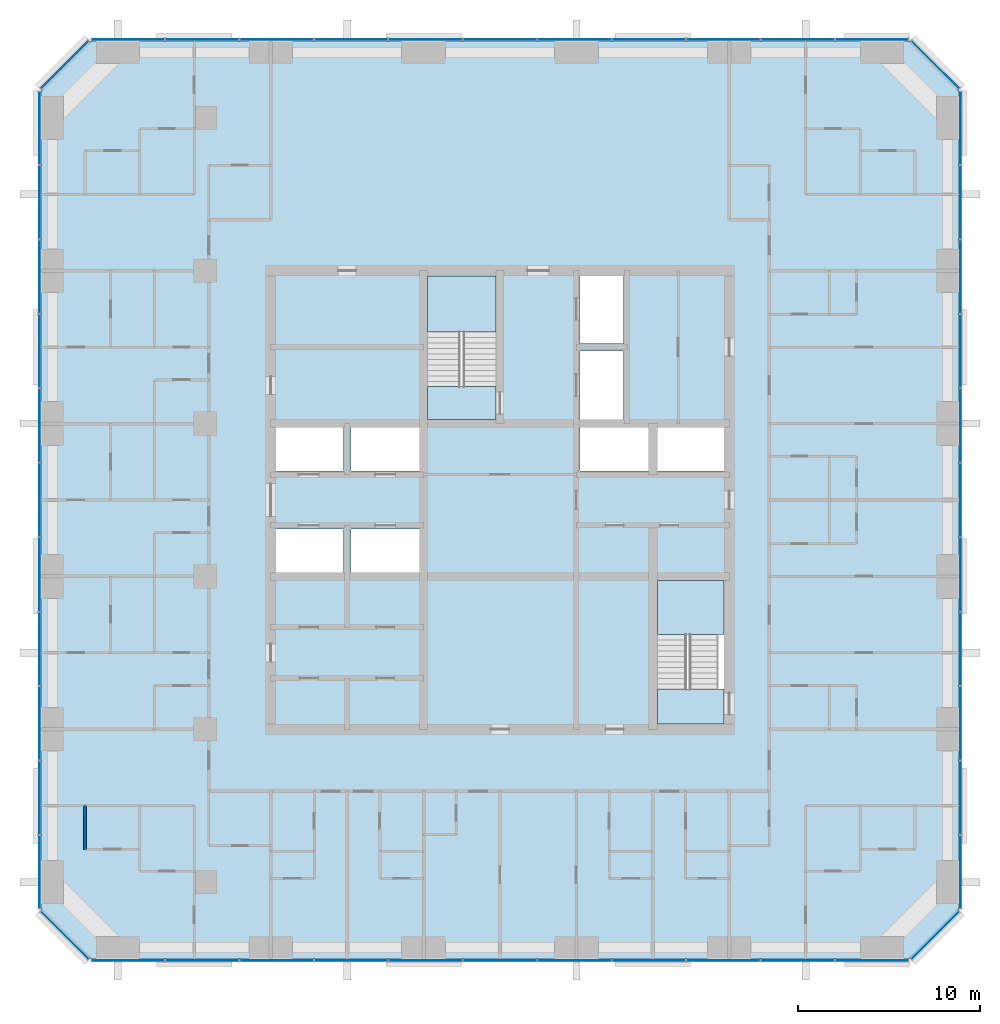
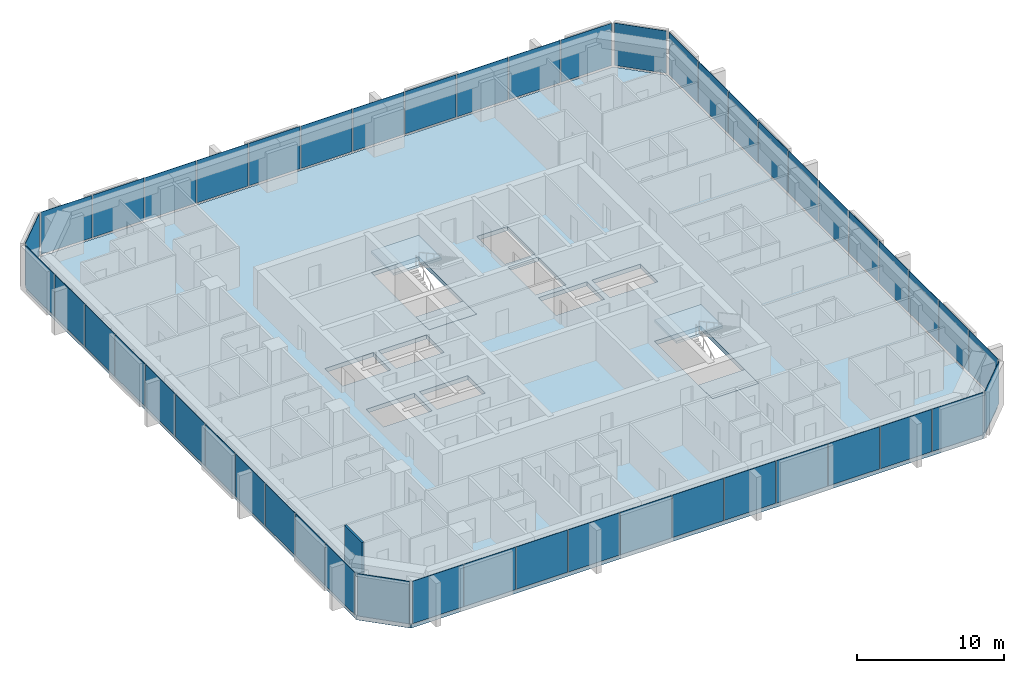
# One storey, part 7 of 14: 48 plates, 5 slabs, 1 wall, 10 elements without a shape of their own.
"""IFC4 building model written with IfcOpenShell, lengths in metres."""

from ifc_helpers import new_model, si_unit, direction, frame, frame_2d, origin, origin_2d, place, context, subcontext, project, spatial, polyline, rectangle, outline, extrude, material, layer, layer_set, type_object, element, aggregate, save


model = new_model("IFC4")

# Units and contexts
model_context = context("Model", 3, precision=1e-05, world=origin(), true_north=direction((0.0, 1.0)))
body_context = subcontext(model_context, "Body", "Model", "MODEL_VIEW")
ifc_project = project(units=[si_unit("LENGTHUNIT", "METRE"), si_unit("AREAUNIT", "SQUARE_METRE"), si_unit("VOLUMEUNIT", "CUBIC_METRE"), si_unit("PLANEANGLEUNIT", "RADIAN"), si_unit("MASSUNIT", "GRAM", prefix="KILO")], contexts=[model_context])

# Site, building, storey
site_placement = place(None, origin())
site = spatial("IfcSite", under=ifc_project, at=site_placement, CompositionType="ELEMENT")
building_placement = place(site_placement, origin())
building = spatial("IfcBuilding", under=site, at=building_placement, Name="Dunama Terrace Hotel", CompositionType="ELEMENT")
storey_placement = place(building_placement, frame((0.0, 0.0, 202.199951171875)))
storey = spatial("IfcBuildingStorey", under=building, at=storey_placement, Name="L52", CompositionType="ELEMENT", Elevation=202.199951171875)

# Curtain wall, plates
ifc_material_1 = material(Name="Aluminium curtain wall system", Category="aluminium")
curtain_wall_type = type_object("IfcCurtainWallType", Name="Unitised fritted glass wall CW-C", PredefinedType="NOTDEFINED", material=ifc_material_1)
curtain_wall_1_placement = place(storey_placement, origin())
curtain_wall_1 = element("IfcCurtainWall", 1, at=curtain_wall_1_placement, inside=storey, type_object=curtain_wall_type, Name="Unitised fritted glass wall CW-C L52", PredefinedType="NOTDEFINED")
ifc_material_2 = material(Name="Laminated glass", Category="glass")
ifc_layer_1 = layer(ifc_material_2, 0.031982421875)
ifc_layer_set_1 = layer_set([ifc_layer_1], Name="CWC clear glass panel")
plate_type_1 = type_object("IfcPlateType", Name="CWC clear glass panel", PredefinedType="CURTAIN_PANEL", material=ifc_layer_set_1)
plate_1_placement = place(storey_placement, frame((8.962890625, 4.10009765625, 0.080078125), z_axis=(0.0, 0.0, 1.0), x_axis=(1.0, 0.0, 0.0)))
plate_1 = element("IfcPlate", 2, at=plate_1_placement, type_object=plate_type_1, Name="CWC clear glass panel", PredefinedType="CURTAIN_PANEL", context=body_context, shape_type="SweptSolid", body=[
    extrude(rectangle(XDim=3.98583984375, YDim=0.031982421875, at=origin_2d()), origin(), (0.0, 0.0, 1.0), 3.52001953125),
])
plate_2_placement = place(storey_placement, frame((21.218017578125, 4.10009765625, 0.080078125), z_axis=(0.0, 0.0, 1.0), x_axis=(1.0, 0.0, 0.0)))
plate_2 = element("IfcPlate", 3, at=plate_2_placement, type_object=plate_type_1, Name="CWC clear glass panel", PredefinedType="CURTAIN_PANEL", context=body_context, shape_type="SweptSolid", body=[
    extrude(rectangle(XDim=4.02099609375, YDim=0.031982421875, at=origin_2d()), origin(), (0.0, 0.0, 1.0), 3.52001953125),
])
plate_3_placement = place(storey_placement, frame((33.490966796875, 4.10009765625, 0.080078125), z_axis=(0.0, 0.0, 1.0), x_axis=(1.0, 0.0, 0.0)))
plate_3 = element("IfcPlate", 4, at=plate_3_placement, type_object=plate_type_1, Name="CWC clear glass panel", PredefinedType="CURTAIN_PANEL", context=body_context, shape_type="SweptSolid", body=[
    extrude(rectangle(XDim=4.02099609375, YDim=0.031982421875, at=origin_2d()), origin(), (0.0, 0.0, 1.0), 3.52001953125),
])
plate_4_placement = place(storey_placement, frame((45.763916015625, 4.10009765625, 0.080078125), z_axis=(0.0, 0.0, 1.0), x_axis=(1.0, 0.0, 0.0)))
plate_4 = element("IfcPlate", 5, at=plate_4_placement, type_object=plate_type_1, Name="CWC clear glass panel", PredefinedType="CURTAIN_PANEL", context=body_context, shape_type="SweptSolid", body=[
    extrude(rectangle(XDim=4.02099609375, YDim=0.031982421875, at=origin_2d()), origin(), (0.0, 0.0, 1.0), 3.52001953125),
])

curtain_wall_2_placement = place(storey_placement, origin())
curtain_wall_2 = element("IfcCurtainWall", 6, at=curtain_wall_2_placement, inside=storey, type_object=curtain_wall_type, Name="Unitised fritted glass wall CW-C L52", PredefinedType="NOTDEFINED")
plate_5_placement = place(storey_placement, frame((54.699951171875, 8.962890625, 0.080078125), z_axis=(0.0, 0.0, 1.0), x_axis=(0.0, 1.0, 0.0)))
plate_5 = element("IfcPlate", 7, at=plate_5_placement, type_object=plate_type_1, Name="CWC clear glass panel", PredefinedType="CURTAIN_PANEL", context=body_context, shape_type="SweptSolid", body=[
    extrude(rectangle(XDim=3.98583984375, YDim=0.031982421875, at=origin_2d()), origin(), (0.0, 0.0, 1.0), 3.52001953125),
])
plate_6_placement = place(storey_placement, frame((54.699951171875, 21.218017578125, 0.080078125), z_axis=(0.0, 0.0, 1.0), x_axis=(0.0, 1.0, 0.0)))
plate_6 = element("IfcPlate", 8, at=plate_6_placement, type_object=plate_type_1, Name="CWC clear glass panel", PredefinedType="CURTAIN_PANEL", context=body_context, shape_type="SweptSolid", body=[
    extrude(rectangle(XDim=4.02099609375, YDim=0.031982421875, at=origin_2d()), origin(), (0.0, 0.0, 1.0), 3.52001953125),
])
plate_7_placement = place(storey_placement, frame((54.699951171875, 33.490966796875, 0.080078125), z_axis=(0.0, 0.0, 1.0), x_axis=(0.0, 1.0, 0.0)))
plate_7 = element("IfcPlate", 9, at=plate_7_placement, type_object=plate_type_1, Name="CWC clear glass panel", PredefinedType="CURTAIN_PANEL", context=body_context, shape_type="SweptSolid", body=[
    extrude(rectangle(XDim=4.02099609375, YDim=0.031982421875, at=origin_2d()), origin(), (0.0, 0.0, 1.0), 3.52001953125),
])
plate_8_placement = place(storey_placement, frame((54.699951171875, 45.763916015625, 0.080078125), z_axis=(0.0, 0.0, 1.0), x_axis=(0.0, 1.0, 0.0)))
plate_8 = element("IfcPlate", 10, at=plate_8_placement, type_object=plate_type_1, Name="CWC clear glass panel", PredefinedType="CURTAIN_PANEL", context=body_context, shape_type="SweptSolid", body=[
    extrude(rectangle(XDim=4.02099609375, YDim=0.031982421875, at=origin_2d()), origin(), (0.0, 0.0, 1.0), 3.52001953125),
])

curtain_wall_3_placement = place(storey_placement, origin())
curtain_wall_3 = element("IfcCurtainWall", 11, at=curtain_wall_3_placement, inside=storey, type_object=curtain_wall_type, Name="Unitised fritted glass wall CW-C L52", PredefinedType="NOTDEFINED")
plate_9_placement = place(storey_placement, frame((49.8369140625, 54.699951171875, 0.080078125), z_axis=(0.0, 0.0, 1.0), x_axis=(-1.0, 0.0, 0.0)))
plate_9 = element("IfcPlate", 12, at=plate_9_placement, type_object=plate_type_1, Name="CWC clear glass panel", PredefinedType="CURTAIN_PANEL", context=body_context, shape_type="SweptSolid", body=[
    extrude(rectangle(XDim=3.98583984375, YDim=0.031982421875, at=origin_2d()), origin(), (0.0, 0.0, 1.0), 3.52001953125),
])
plate_10_placement = place(storey_placement, frame((37.58203125, 54.699951171875, 0.080078125), z_axis=(0.0, 0.0, 1.0), x_axis=(-1.0, 0.0, 0.0)))
plate_10 = element("IfcPlate", 13, at=plate_10_placement, type_object=plate_type_1, Name="CWC clear glass panel", PredefinedType="CURTAIN_PANEL", context=body_context, shape_type="SweptSolid", body=[
    extrude(rectangle(XDim=4.02099609375, YDim=0.031982421875, at=origin_2d()), origin(), (0.0, 0.0, 1.0), 3.52001953125),
])
plate_11_placement = place(storey_placement, frame((25.30908203125, 54.699951171875, 0.080078125), z_axis=(0.0, 0.0, 1.0), x_axis=(-1.0, 0.0, 0.0)))
plate_11 = element("IfcPlate", 14, at=plate_11_placement, type_object=plate_type_1, Name="CWC clear glass panel", PredefinedType="CURTAIN_PANEL", context=body_context, shape_type="SweptSolid", body=[
    extrude(rectangle(XDim=4.02099609375, YDim=0.031982421875, at=origin_2d()), origin(), (0.0, 0.0, 1.0), 3.52001953125),
])
plate_12_placement = place(storey_placement, frame((13.035888671875, 54.699951171875, 0.080078125), z_axis=(0.0, 0.0, 1.0), x_axis=(-1.0, 0.0, 0.0)))
plate_12 = element("IfcPlate", 15, at=plate_12_placement, type_object=plate_type_1, Name="CWC clear glass panel", PredefinedType="CURTAIN_PANEL", context=body_context, shape_type="SweptSolid", body=[
    extrude(rectangle(XDim=4.02099609375, YDim=0.031982421875, at=origin_2d()), origin(), (0.0, 0.0, 1.0), 3.52001953125),
])

curtain_wall_4_placement = place(storey_placement, origin())
curtain_wall_4 = element("IfcCurtainWall", 16, at=curtain_wall_4_placement, inside=storey, type_object=curtain_wall_type, Name="Unitised fritted glass wall CW-C L52", PredefinedType="NOTDEFINED")
plate_13_placement = place(storey_placement, frame((4.10009765625, 49.8369140625, 0.080078125), z_axis=(0.0, 0.0, 1.0), x_axis=(0.0, -1.0, 0.0)))
plate_13 = element("IfcPlate", 17, at=plate_13_placement, type_object=plate_type_1, Name="CWC clear glass panel", PredefinedType="CURTAIN_PANEL", context=body_context, shape_type="SweptSolid", body=[
    extrude(rectangle(XDim=3.98583984375, YDim=0.031982421875, at=origin_2d()), origin(), (0.0, 0.0, 1.0), 3.52001953125),
])
plate_14_placement = place(storey_placement, frame((4.10009765625, 37.58203125, 0.080078125), z_axis=(0.0, 0.0, 1.0), x_axis=(0.0, -1.0, 0.0)))
plate_14 = element("IfcPlate", 18, at=plate_14_placement, type_object=plate_type_1, Name="CWC clear glass panel", PredefinedType="CURTAIN_PANEL", context=body_context, shape_type="SweptSolid", body=[
    extrude(rectangle(XDim=4.02099609375, YDim=0.031982421875, at=origin_2d()), origin(), (0.0, 0.0, 1.0), 3.52001953125),
])
plate_15_placement = place(storey_placement, frame((4.10009765625, 25.30908203125, 0.080078125), z_axis=(0.0, 0.0, 1.0), x_axis=(0.0, -1.0, 0.0)))
plate_15 = element("IfcPlate", 19, at=plate_15_placement, type_object=plate_type_1, Name="CWC clear glass panel", PredefinedType="CURTAIN_PANEL", context=body_context, shape_type="SweptSolid", body=[
    extrude(rectangle(XDim=4.02099609375, YDim=0.031982421875, at=origin_2d()), origin(), (0.0, 0.0, 1.0), 3.52001953125),
])
plate_16_placement = place(storey_placement, frame((4.10009765625, 13.035888671875, 0.080078125), z_axis=(0.0, 0.0, 1.0), x_axis=(0.0, -1.0, 0.0)))
plate_16 = element("IfcPlate", 20, at=plate_16_placement, type_object=plate_type_1, Name="CWC clear glass panel", PredefinedType="CURTAIN_PANEL", context=body_context, shape_type="SweptSolid", body=[
    extrude(rectangle(XDim=4.02099609375, YDim=0.031982421875, at=origin_2d()), origin(), (0.0, 0.0, 1.0), 3.52001953125),
])

# Plate
ifc_material_3 = material(Name="Fritted laminated glass", Category="glass")
ifc_layer_2 = layer(ifc_material_3, 0.031982421875)
ifc_layer_set_2 = layer_set([ifc_layer_2], Name="CWC fritted glass panel")
plate_type_2 = type_object("IfcPlateType", Name="CWC fritted glass panel", PredefinedType="CURTAIN_PANEL", material=ifc_layer_set_2)
plate_17_placement = place(storey_placement, frame((17.126953125, 4.10009765625, 0.080078125), z_axis=(0.0, 0.0, 1.0), x_axis=(1.0, 0.0, 0.0)))
plate_17 = element("IfcPlate", 21, at=plate_17_placement, type_object=plate_type_2, Name="CWC fritted glass panel", PredefinedType="CURTAIN_PANEL", context=body_context, shape_type="SweptSolid", body=[
    extrude(rectangle(XDim=4.02099609375, YDim=0.031982421875, at=origin_2d()), origin(), (0.0, 0.0, 1.0), 3.52001953125),
])

plate_18_placement = place(storey_placement, frame((29.39990234375, 4.10009765625, 0.080078125), z_axis=(0.0, 0.0, 1.0), x_axis=(1.0, 0.0, 0.0)))
plate_18 = element("IfcPlate", 22, at=plate_18_placement, type_object=plate_type_2, Name="CWC fritted glass panel", PredefinedType="CURTAIN_PANEL", context=body_context, shape_type="SweptSolid", body=[
    extrude(rectangle(XDim=4.02099609375, YDim=0.031982421875, at=origin_2d()), origin(), (0.0, 0.0, 1.0), 3.52001953125),
])

plate_19_placement = place(storey_placement, frame((41.673095703125, 4.10009765625, 0.080078125), z_axis=(0.0, 0.0, 1.0), x_axis=(1.0, 0.0, 0.0)))
plate_19 = element("IfcPlate", 23, at=plate_19_placement, type_object=plate_type_2, Name="CWC fritted glass panel", PredefinedType="CURTAIN_PANEL", context=body_context, shape_type="SweptSolid", body=[
    extrude(rectangle(XDim=4.02099609375, YDim=0.031982421875, at=origin_2d()), origin(), (0.0, 0.0, 1.0), 3.52001953125),
])

# Curtain wall, plate
curtain_wall_5_placement = place(storey_placement, origin())
curtain_wall_5 = element("IfcCurtainWall", 24, at=curtain_wall_5_placement, inside=storey, type_object=curtain_wall_type, Name="Unitised fritted glass wall CW-C L52", PredefinedType="NOTDEFINED")
plate_20_placement = place(storey_placement, frame((53.321044921875, 5.47900390625, 0.080078125), z_axis=(0.0, 0.0, 1.0), x_axis=(0.707106781187, 0.707106781187, 0.0)))
plate_20 = element("IfcPlate", 25, at=plate_20_placement, type_object=plate_type_2, Name="CWC fritted glass panel", PredefinedType="CURTAIN_PANEL", context=body_context, shape_type="SweptSolid", body=[
    extrude(rectangle(XDim=3.678466796875, YDim=0.031982421875, at=origin_2d()), origin(), (0.0, 0.0, 1.0), 3.52001953125),
])
aggregate(curtain_wall_5, [plate_20])

# Plate
plate_21_placement = place(storey_placement, frame((54.699951171875, 17.126953125, 0.080078125), z_axis=(0.0, 0.0, 1.0), x_axis=(0.0, 1.0, 0.0)))
plate_21 = element("IfcPlate", 26, at=plate_21_placement, type_object=plate_type_2, Name="CWC fritted glass panel", PredefinedType="CURTAIN_PANEL", context=body_context, shape_type="SweptSolid", body=[
    extrude(rectangle(XDim=4.02099609375, YDim=0.031982421875, at=origin_2d()), origin(), (0.0, 0.0, 1.0), 3.52001953125),
])

plate_22_placement = place(storey_placement, frame((54.699951171875, 29.39990234375, 0.080078125), z_axis=(0.0, 0.0, 1.0), x_axis=(0.0, 1.0, 0.0)))
plate_22 = element("IfcPlate", 27, at=plate_22_placement, type_object=plate_type_2, Name="CWC fritted glass panel", PredefinedType="CURTAIN_PANEL", context=body_context, shape_type="SweptSolid", body=[
    extrude(rectangle(XDim=4.02099609375, YDim=0.031982421875, at=origin_2d()), origin(), (0.0, 0.0, 1.0), 3.52001953125),
])

plate_23_placement = place(storey_placement, frame((54.699951171875, 41.673095703125, 0.080078125), z_axis=(0.0, 0.0, 1.0), x_axis=(0.0, 1.0, 0.0)))
plate_23 = element("IfcPlate", 28, at=plate_23_placement, type_object=plate_type_2, Name="CWC fritted glass panel", PredefinedType="CURTAIN_PANEL", context=body_context, shape_type="SweptSolid", body=[
    extrude(rectangle(XDim=4.02099609375, YDim=0.031982421875, at=origin_2d()), origin(), (0.0, 0.0, 1.0), 3.52001953125),
])

# Curtain wall, plate
curtain_wall_6_placement = place(storey_placement, origin())
curtain_wall_6 = element("IfcCurtainWall", 29, at=curtain_wall_6_placement, inside=storey, type_object=curtain_wall_type, Name="Unitised fritted glass wall CW-C L52", PredefinedType="NOTDEFINED")
plate_24_placement = place(storey_placement, frame((53.321044921875, 53.321044921875, 0.080078125), z_axis=(0.0, 0.0, 1.0), x_axis=(-0.707106781187, 0.707106781187, 0.0)))
plate_24 = element("IfcPlate", 30, at=plate_24_placement, type_object=plate_type_2, Name="CWC fritted glass panel", PredefinedType="CURTAIN_PANEL", context=body_context, shape_type="SweptSolid", body=[
    extrude(rectangle(XDim=3.678466796875, YDim=0.031982421875, at=origin_2d()), origin(), (0.0, 0.0, 1.0), 3.52001953125),
])
aggregate(curtain_wall_6, [plate_24])

# Plate
plate_25_placement = place(storey_placement, frame((41.673095703125, 54.699951171875, 0.080078125), z_axis=(0.0, 0.0, 1.0), x_axis=(-1.0, 0.0, 0.0)))
plate_25 = element("IfcPlate", 31, at=plate_25_placement, type_object=plate_type_2, Name="CWC fritted glass panel", PredefinedType="CURTAIN_PANEL", context=body_context, shape_type="SweptSolid", body=[
    extrude(rectangle(XDim=4.02099609375, YDim=0.031982421875, at=origin_2d()), origin(), (0.0, 0.0, 1.0), 3.52001953125),
])

plate_26_placement = place(storey_placement, frame((29.39990234375, 54.699951171875, 0.080078125), z_axis=(0.0, 0.0, 1.0), x_axis=(-1.0, 0.0, 0.0)))
plate_26 = element("IfcPlate", 32, at=plate_26_placement, type_object=plate_type_2, Name="CWC fritted glass panel", PredefinedType="CURTAIN_PANEL", context=body_context, shape_type="SweptSolid", body=[
    extrude(rectangle(XDim=4.02099609375, YDim=0.031982421875, at=origin_2d()), origin(), (0.0, 0.0, 1.0), 3.52001953125),
])

plate_27_placement = place(storey_placement, frame((17.126953125, 54.699951171875, 0.080078125), z_axis=(0.0, 0.0, 1.0), x_axis=(-1.0, 0.0, 0.0)))
plate_27 = element("IfcPlate", 33, at=plate_27_placement, type_object=plate_type_2, Name="CWC fritted glass panel", PredefinedType="CURTAIN_PANEL", context=body_context, shape_type="SweptSolid", body=[
    extrude(rectangle(XDim=4.02099609375, YDim=0.031982421875, at=origin_2d()), origin(), (0.0, 0.0, 1.0), 3.52001953125),
])

# Curtain wall, plate
curtain_wall_7_placement = place(storey_placement, origin())
curtain_wall_7 = element("IfcCurtainWall", 34, at=curtain_wall_7_placement, inside=storey, type_object=curtain_wall_type, Name="Unitised fritted glass wall CW-C L52", PredefinedType="NOTDEFINED")
plate_28_placement = place(storey_placement, frame((5.47900390625, 53.321044921875, 0.080078125), z_axis=(0.0, 0.0, 1.0), x_axis=(-0.707106781187, -0.707106781187, 0.0)))
plate_28 = element("IfcPlate", 35, at=plate_28_placement, type_object=plate_type_2, Name="CWC fritted glass panel", PredefinedType="CURTAIN_PANEL", context=body_context, shape_type="SweptSolid", body=[
    extrude(rectangle(XDim=3.678466796875, YDim=0.031982421875, at=origin_2d()), origin(), (0.0, 0.0, 1.0), 3.52001953125),
])
aggregate(curtain_wall_7, [plate_28])

# Plate
plate_29_placement = place(storey_placement, frame((4.10009765625, 41.673095703125, 0.080078125), z_axis=(0.0, 0.0, 1.0), x_axis=(0.0, -1.0, 0.0)))
plate_29 = element("IfcPlate", 36, at=plate_29_placement, type_object=plate_type_2, Name="CWC fritted glass panel", PredefinedType="CURTAIN_PANEL", context=body_context, shape_type="SweptSolid", body=[
    extrude(rectangle(XDim=4.02099609375, YDim=0.031982421875, at=origin_2d()), origin(), (0.0, 0.0, 1.0), 3.52001953125),
])

plate_30_placement = place(storey_placement, frame((4.10009765625, 29.39990234375, 0.080078125), z_axis=(0.0, 0.0, 1.0), x_axis=(0.0, -1.0, 0.0)))
plate_30 = element("IfcPlate", 37, at=plate_30_placement, type_object=plate_type_2, Name="CWC fritted glass panel", PredefinedType="CURTAIN_PANEL", context=body_context, shape_type="SweptSolid", body=[
    extrude(rectangle(XDim=4.02099609375, YDim=0.031982421875, at=origin_2d()), origin(), (0.0, 0.0, 1.0), 3.52001953125),
])

plate_31_placement = place(storey_placement, frame((4.10009765625, 17.126953125, 0.080078125), z_axis=(0.0, 0.0, 1.0), x_axis=(0.0, -1.0, 0.0)))
plate_31 = element("IfcPlate", 38, at=plate_31_placement, type_object=plate_type_2, Name="CWC fritted glass panel", PredefinedType="CURTAIN_PANEL", context=body_context, shape_type="SweptSolid", body=[
    extrude(rectangle(XDim=4.02099609375, YDim=0.031982421875, at=origin_2d()), origin(), (0.0, 0.0, 1.0), 3.52001953125),
])

# Curtain wall, plate
curtain_wall_8_placement = place(storey_placement, origin())
curtain_wall_8 = element("IfcCurtainWall", 39, at=curtain_wall_8_placement, inside=storey, type_object=curtain_wall_type, Name="Unitised fritted glass wall CW-C L52", PredefinedType="NOTDEFINED")
plate_32_placement = place(storey_placement, frame((5.47900390625, 5.47900390625, 0.080078125), z_axis=(0.0, 0.0, 1.0), x_axis=(0.707106781187, -0.707106781187, 0.0)))
plate_32 = element("IfcPlate", 40, at=plate_32_placement, type_object=plate_type_2, Name="CWC fritted glass panel", PredefinedType="CURTAIN_PANEL", context=body_context, shape_type="SweptSolid", body=[
    extrude(rectangle(XDim=3.678466796875, YDim=0.031982421875, at=origin_2d()), origin(), (0.0, 0.0, 1.0), 3.52001953125),
])
aggregate(curtain_wall_8, [plate_32])

# Plate
ifc_material_4 = material(Name="Laminated glass", Category="glass")
ifc_layer_3 = layer(ifc_material_4, 0.031982421875)
ifc_layer_set_3 = layer_set([ifc_layer_3], Name="CWC operable glass panel")
plate_type_3 = type_object("IfcPlateType", Name="CWC operable glass panel", PredefinedType="CURTAIN_PANEL", material=ifc_layer_set_3)
plate_33_placement = place(storey_placement, frame((13.035888671875, 4.10009765625, 0.080078125), z_axis=(0.0, 0.0, 1.0), x_axis=(1.0, 0.0, 0.0)))
plate_33 = element("IfcPlate", 41, at=plate_33_placement, type_object=plate_type_3, Name="CWC operable glass panel", PredefinedType="CURTAIN_PANEL", context=body_context, shape_type="SweptSolid", body=[
    extrude(rectangle(XDim=4.02099609375, YDim=0.031982421875, at=origin_2d()), origin(), (0.0, 0.0, 1.0), 3.52001953125),
])

plate_34_placement = place(storey_placement, frame((25.30908203125, 4.10009765625, 0.080078125), z_axis=(0.0, 0.0, 1.0), x_axis=(1.0, 0.0, 0.0)))
plate_34 = element("IfcPlate", 42, at=plate_34_placement, type_object=plate_type_3, Name="CWC operable glass panel", PredefinedType="CURTAIN_PANEL", context=body_context, shape_type="SweptSolid", body=[
    extrude(rectangle(XDim=4.02099609375, YDim=0.031982421875, at=origin_2d()), origin(), (0.0, 0.0, 1.0), 3.52001953125),
])

plate_35_placement = place(storey_placement, frame((37.58203125, 4.10009765625, 0.080078125), z_axis=(0.0, 0.0, 1.0), x_axis=(1.0, 0.0, 0.0)))
plate_35 = element("IfcPlate", 43, at=plate_35_placement, type_object=plate_type_3, Name="CWC operable glass panel", PredefinedType="CURTAIN_PANEL", context=body_context, shape_type="SweptSolid", body=[
    extrude(rectangle(XDim=4.02099609375, YDim=0.031982421875, at=origin_2d()), origin(), (0.0, 0.0, 1.0), 3.52001953125),
])

plate_36_placement = place(storey_placement, frame((49.8369140625, 4.10009765625, 0.080078125), z_axis=(0.0, 0.0, 1.0), x_axis=(1.0, 0.0, 0.0)))
plate_36 = element("IfcPlate", 44, at=plate_36_placement, type_object=plate_type_3, Name="CWC operable glass panel", PredefinedType="CURTAIN_PANEL", context=body_context, shape_type="SweptSolid", body=[
    extrude(rectangle(XDim=3.98583984375, YDim=0.031982421875, at=origin_2d()), origin(), (0.0, 0.0, 1.0), 3.52001953125),
])

aggregate(curtain_wall_1, [plate_1, plate_33, plate_17, plate_2, plate_34, plate_18, plate_3, plate_35, plate_19, plate_4, plate_36])

plate_37_placement = place(storey_placement, frame((54.699951171875, 13.035888671875, 0.080078125), z_axis=(0.0, 0.0, 1.0), x_axis=(0.0, 1.0, 0.0)))
plate_37 = element("IfcPlate", 45, at=plate_37_placement, type_object=plate_type_3, Name="CWC operable glass panel", PredefinedType="CURTAIN_PANEL", context=body_context, shape_type="SweptSolid", body=[
    extrude(rectangle(XDim=4.02099609375, YDim=0.031982421875, at=origin_2d()), origin(), (0.0, 0.0, 1.0), 3.52001953125),
])

plate_38_placement = place(storey_placement, frame((54.699951171875, 25.30908203125, 0.080078125), z_axis=(0.0, 0.0, 1.0), x_axis=(0.0, 1.0, 0.0)))
plate_38 = element("IfcPlate", 46, at=plate_38_placement, type_object=plate_type_3, Name="CWC operable glass panel", PredefinedType="CURTAIN_PANEL", context=body_context, shape_type="SweptSolid", body=[
    extrude(rectangle(XDim=4.02099609375, YDim=0.031982421875, at=origin_2d()), origin(), (0.0, 0.0, 1.0), 3.52001953125),
])

plate_39_placement = place(storey_placement, frame((54.699951171875, 37.58203125, 0.080078125), z_axis=(0.0, 0.0, 1.0), x_axis=(0.0, 1.0, 0.0)))
plate_39 = element("IfcPlate", 47, at=plate_39_placement, type_object=plate_type_3, Name="CWC operable glass panel", PredefinedType="CURTAIN_PANEL", context=body_context, shape_type="SweptSolid", body=[
    extrude(rectangle(XDim=4.02099609375, YDim=0.031982421875, at=origin_2d()), origin(), (0.0, 0.0, 1.0), 3.52001953125),
])

plate_40_placement = place(storey_placement, frame((54.699951171875, 49.8369140625, 0.080078125), z_axis=(0.0, 0.0, 1.0), x_axis=(0.0, 1.0, 0.0)))
plate_40 = element("IfcPlate", 48, at=plate_40_placement, type_object=plate_type_3, Name="CWC operable glass panel", PredefinedType="CURTAIN_PANEL", context=body_context, shape_type="SweptSolid", body=[
    extrude(rectangle(XDim=3.98583984375, YDim=0.031982421875, at=origin_2d()), origin(), (0.0, 0.0, 1.0), 3.52001953125),
])

aggregate(curtain_wall_2, [plate_5, plate_37, plate_21, plate_6, plate_38, plate_22, plate_7, plate_39, plate_23, plate_8, plate_40])

plate_41_placement = place(storey_placement, frame((45.763916015625, 54.699951171875, 0.080078125), z_axis=(0.0, 0.0, 1.0), x_axis=(-1.0, 0.0, 0.0)))
plate_41 = element("IfcPlate", 49, at=plate_41_placement, type_object=plate_type_3, Name="CWC operable glass panel", PredefinedType="CURTAIN_PANEL", context=body_context, shape_type="SweptSolid", body=[
    extrude(rectangle(XDim=4.02099609375, YDim=0.031982421875, at=origin_2d()), origin(), (0.0, 0.0, 1.0), 3.52001953125),
])

plate_42_placement = place(storey_placement, frame((33.490966796875, 54.699951171875, 0.080078125), z_axis=(0.0, 0.0, 1.0), x_axis=(-1.0, 0.0, 0.0)))
plate_42 = element("IfcPlate", 50, at=plate_42_placement, type_object=plate_type_3, Name="CWC operable glass panel", PredefinedType="CURTAIN_PANEL", context=body_context, shape_type="SweptSolid", body=[
    extrude(rectangle(XDim=4.02099609375, YDim=0.031982421875, at=origin_2d()), origin(), (0.0, 0.0, 1.0), 3.52001953125),
])

plate_43_placement = place(storey_placement, frame((21.218017578125, 54.699951171875, 0.080078125), z_axis=(0.0, 0.0, 1.0), x_axis=(-1.0, 0.0, 0.0)))
plate_43 = element("IfcPlate", 51, at=plate_43_placement, type_object=plate_type_3, Name="CWC operable glass panel", PredefinedType="CURTAIN_PANEL", context=body_context, shape_type="SweptSolid", body=[
    extrude(rectangle(XDim=4.02099609375, YDim=0.031982421875, at=origin_2d()), origin(), (0.0, 0.0, 1.0), 3.52001953125),
])

plate_44_placement = place(storey_placement, frame((8.962890625, 54.699951171875, 0.080078125), z_axis=(0.0, 0.0, 1.0), x_axis=(-1.0, 0.0, 0.0)))
plate_44 = element("IfcPlate", 52, at=plate_44_placement, type_object=plate_type_3, Name="CWC operable glass panel", PredefinedType="CURTAIN_PANEL", context=body_context, shape_type="SweptSolid", body=[
    extrude(rectangle(XDim=3.98583984375, YDim=0.031982421875, at=origin_2d()), origin(), (0.0, 0.0, 1.0), 3.52001953125),
])

aggregate(curtain_wall_3, [plate_9, plate_41, plate_25, plate_10, plate_42, plate_26, plate_11, plate_43, plate_27, plate_12, plate_44])

plate_45_placement = place(storey_placement, frame((4.10009765625, 45.763916015625, 0.080078125), z_axis=(0.0, 0.0, 1.0), x_axis=(0.0, -1.0, 0.0)))
plate_45 = element("IfcPlate", 53, at=plate_45_placement, type_object=plate_type_3, Name="CWC operable glass panel", PredefinedType="CURTAIN_PANEL", context=body_context, shape_type="SweptSolid", body=[
    extrude(rectangle(XDim=4.02099609375, YDim=0.031982421875, at=origin_2d()), origin(), (0.0, 0.0, 1.0), 3.52001953125),
])

plate_46_placement = place(storey_placement, frame((4.10009765625, 33.490966796875, 0.080078125), z_axis=(0.0, 0.0, 1.0), x_axis=(0.0, -1.0, 0.0)))
plate_46 = element("IfcPlate", 54, at=plate_46_placement, type_object=plate_type_3, Name="CWC operable glass panel", PredefinedType="CURTAIN_PANEL", context=body_context, shape_type="SweptSolid", body=[
    extrude(rectangle(XDim=4.02099609375, YDim=0.031982421875, at=origin_2d()), origin(), (0.0, 0.0, 1.0), 3.52001953125),
])

plate_47_placement = place(storey_placement, frame((4.10009765625, 21.218017578125, 0.080078125), z_axis=(0.0, 0.0, 1.0), x_axis=(0.0, -1.0, 0.0)))
plate_47 = element("IfcPlate", 55, at=plate_47_placement, type_object=plate_type_3, Name="CWC operable glass panel", PredefinedType="CURTAIN_PANEL", context=body_context, shape_type="SweptSolid", body=[
    extrude(rectangle(XDim=4.02099609375, YDim=0.031982421875, at=origin_2d()), origin(), (0.0, 0.0, 1.0), 3.52001953125),
])

plate_48_placement = place(storey_placement, frame((4.10009765625, 8.962890625, 0.080078125), z_axis=(0.0, 0.0, 1.0), x_axis=(0.0, -1.0, 0.0)))
plate_48 = element("IfcPlate", 56, at=plate_48_placement, type_object=plate_type_3, Name="CWC operable glass panel", PredefinedType="CURTAIN_PANEL", context=body_context, shape_type="SweptSolid", body=[
    extrude(rectangle(XDim=3.98583984375, YDim=0.031982421875, at=origin_2d()), origin(), (0.0, 0.0, 1.0), 3.52001953125),
])

aggregate(curtain_wall_4, [plate_13, plate_45, plate_29, plate_14, plate_46, plate_30, plate_15, plate_47, plate_31, plate_16, plate_48])

# Slab
ifc_material_5 = material(Name="Concrete C40/50", Category="concrete")
ifc_layer_4 = layer(ifc_material_5, 0.35009765625)
ifc_layer_set_4 = layer_set([ifc_layer_4], Name="Flat plate 350")
slab_type_1 = type_object("IfcSlabType", Name="Flat plate 350", PredefinedType="FLOOR", material=ifc_layer_set_4)
slab_1_placement = place(storey_placement, frame((0.0, 0.0, -0.349853515625)))
element("IfcSlab", 57, at=slab_1_placement, inside=storey, type_object=slab_type_1, Name="Floor slab L52", PredefinedType="FLOOR", context=body_context, shape_type="SweptSolid", body=[
    extrude(outline(polyline([(6.89990234375, 4.199951171875), (51.89990234375, 4.199951171875), (54.60009765625, 6.89990234375), (54.60009765625, 51.89990234375), (51.89990234375, 54.60009765625), (6.89990234375, 54.60009765625), (4.199951171875, 51.89990234375), (4.199951171875, 6.89990234375), (6.89990234375, 4.199951171875)]), holes=[polyline([(20.800048828125, 25.39990234375), (20.800048828125, 27.800048828125), (17.0, 27.800048828125), (17.0, 25.39990234375), (20.800048828125, 25.39990234375)]), polyline([(25.0, 25.39990234375), (25.0, 27.800048828125), (21.199951171875, 27.800048828125), (21.199951171875, 25.39990234375), (25.0, 25.39990234375)]), polyline([(20.800048828125, 31.0), (20.800048828125, 33.39990234375), (17.0, 33.39990234375), (17.0, 31.0), (20.800048828125, 31.0)]), polyline([(25.0, 31.0), (25.0, 33.39990234375), (21.199951171875, 33.39990234375), (21.199951171875, 31.0), (25.0, 31.0)]), polyline([(37.60009765625, 31.0), (37.60009765625, 33.39990234375), (33.800048828125, 33.39990234375), (33.800048828125, 31.0), (37.60009765625, 31.0)]), polyline([(41.800048828125, 31.0), (41.800048828125, 33.39990234375), (38.0, 33.39990234375), (38.0, 31.0), (41.800048828125, 31.0)]), polyline([(36.199951171875, 38.0), (36.199951171875, 41.800048828125), (33.800048828125, 41.800048828125), (33.800048828125, 38.0), (36.199951171875, 38.0)]), polyline([(36.199951171875, 33.800048828125), (36.199951171875, 37.60009765625), (33.800048828125, 37.60009765625), (33.800048828125, 33.800048828125), (36.199951171875, 33.800048828125)]), polyline([(29.175048828125, 33.824951171875), (29.175048828125, 41.699951171875), (25.425048828125, 41.699951171875), (25.425048828125, 33.824951171875), (29.175048828125, 33.824951171875)]), polyline([(41.699951171875, 17.10009765625), (41.699951171875, 24.97509765625), (38.050048828125, 24.97509765625), (38.050048828125, 17.10009765625), (41.699951171875, 17.10009765625)])]), origin(), (0.0, 0.0, 1.0), 0.349853515625),
])

# Stair, slabs
ifc_material_6 = material(Name="Concrete C40/50", Category="concrete")
stair_type_1 = type_object("IfcStairType", Name="Stair ST1-3600-1800", PredefinedType="HALF_TURN_STAIR", material=ifc_material_6)
stair_1_placement = place(storey_placement, origin())
stair_1 = element("IfcStair", 58, at=stair_1_placement, inside=storey, type_object=stair_type_1, Name="Stair ST1 L52", PredefinedType="HALF_TURN_STAIR")
ifc_material_7 = material(Name="Concrete C40/50", Category="concrete")
ifc_layer_5 = layer(ifc_material_7, 0.199951171875)
ifc_layer_set_5 = layer_set([ifc_layer_5], Name="Stair landing 200")
slab_type_2 = type_object("IfcSlabType", Name="Stair landing 200", PredefinedType="LANDING", material=ifc_layer_set_5)
slab_2_placement = place(storey_placement, frame((0.0, 0.0, -0.199951171875)))
slab_2 = element("IfcSlab", 59, at=slab_2_placement, type_object=slab_type_2, Name="ST1 landing 1, type S10", PredefinedType="LANDING", context=body_context, shape_type="SweptSolid", body=[
    extrude(outline(polyline([(25.425048828125, 33.824951171875), (29.175048828125, 33.824951171875), (29.175048828125, 35.625), (25.425048828125, 35.625), (25.425048828125, 33.824951171875)])), origin(), (0.0, 0.0, 1.0), 0.199951171875),
])
slab_3_placement = place(storey_placement, frame((0.0, 0.0, 1.60009765625)))
slab_3 = element("IfcSlab", 60, at=slab_3_placement, type_object=slab_type_2, Name="ST1 landing 2, type S10", PredefinedType="LANDING", context=body_context, shape_type="SweptSolid", body=[
    extrude(outline(polyline([(25.425048828125, 38.625), (29.175048828125, 38.625), (29.175048828125, 41.699951171875), (25.425048828125, 41.699951171875), (25.425048828125, 38.625)])), origin(), (0.0, 0.0, 1.0), 0.199951171875),
])
aggregate(stair_1, [slab_2, slab_3])

ifc_material_8 = material(Name="Concrete C40/50", Category="concrete")
stair_type_2 = type_object("IfcStairType", Name="Stair ST2-3600-1600", PredefinedType="HALF_TURN_STAIR", material=ifc_material_8)
stair_2_placement = place(storey_placement, origin())
stair_2 = element("IfcStair", 61, at=stair_2_placement, inside=storey, type_object=stair_type_2, Name="Stair ST2 L52", PredefinedType="HALF_TURN_STAIR")
slab_4_placement = place(storey_placement, frame((0.0, 0.0, -0.199951171875)))
slab_4 = element("IfcSlab", 62, at=slab_4_placement, type_object=slab_type_2, Name="ST2 landing 1, type S10", PredefinedType="LANDING", context=body_context, shape_type="SweptSolid", body=[
    extrude(outline(polyline([(38.050048828125, 17.10009765625), (41.699951171875, 17.10009765625), (41.699951171875, 19.0), (38.050048828125, 19.0), (38.050048828125, 17.10009765625)])), origin(), (0.0, 0.0, 1.0), 0.199951171875),
])
slab_5_placement = place(storey_placement, frame((0.0, 0.0, 1.60009765625)))
slab_5 = element("IfcSlab", 63, at=slab_5_placement, type_object=slab_type_2, Name="ST2 landing 2, type S10", PredefinedType="LANDING", context=body_context, shape_type="SweptSolid", body=[
    extrude(outline(polyline([(38.050048828125, 22.0), (41.699951171875, 22.0), (41.699951171875, 24.97509765625), (38.050048828125, 24.97509765625), (38.050048828125, 22.0)])), origin(), (0.0, 0.0, 1.0), 0.199951171875),
])
aggregate(stair_2, [slab_4, slab_5])

# Wall
ifc_material_9 = material(Name="Gypsum board partition", Category="masonry")
ifc_layer_6 = layer(ifc_material_9, 0.14990234375)
ifc_layer_set_6 = layer_set([ifc_layer_6], Name="Room partition 150")
wall_type = type_object("IfcWallType", Name="Room partition 150", PredefinedType="PARTITIONING", material=ifc_layer_set_6)
wall_placement = place(storey_placement, frame((6.60009765625, 10.199951171875, 0.0), z_axis=(0.0, 0.0, 1.0), x_axis=(0.0, 1.0, 0.0)))
element("IfcWall", 64, at=wall_placement, inside=storey, type_object=wall_type, Name="Room partition 150 L52", PredefinedType="PARTITIONING", context=body_context, shape_type="SweptSolid", body=[
    extrude(rectangle(XDim=2.400146484375, YDim=0.14990234375, at=frame_2d((1.2001953125, 0.0))), origin(), (0.0, 0.0, 1.0), 3.25),
])

save(model, "model.ifc")
